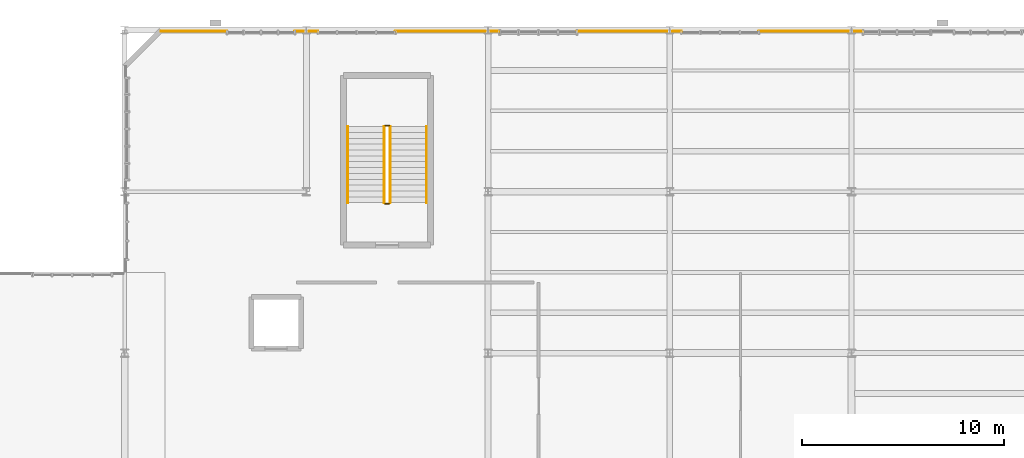
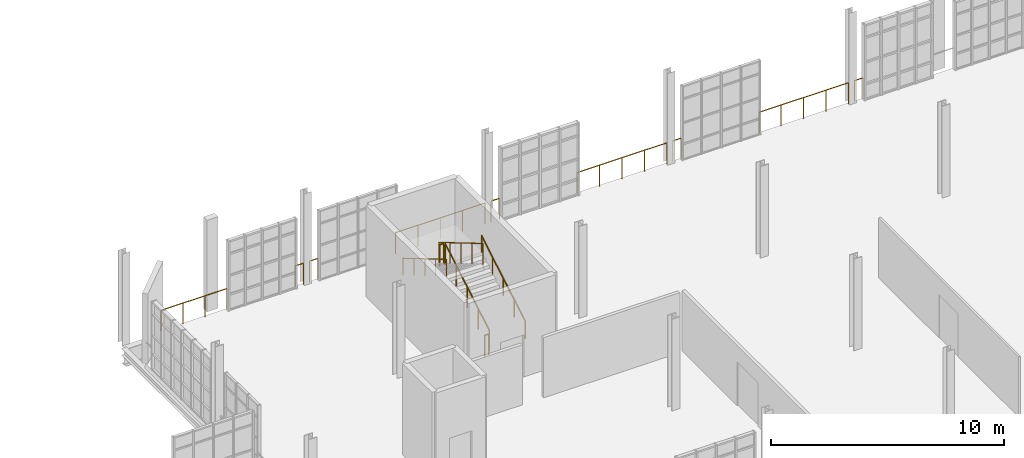
# One storey, part 119 of 122: 15 railings.
"""IFC4 building model written with IfcOpenShell, lengths in metres."""

from ifc_helpers import new_model, si_unit, direction, frame, origin, origin_2d, place, context, subcontext, project, spatial, circle, extrude, material, type_object, element, save


model = new_model("IFC4")

# Units and contexts
model_context = context("Model", 3, precision=1e-05, world=origin(), true_north=direction((0.0, 1.0)))
body_context = subcontext(model_context, "Body", "Model", "MODEL_VIEW")
ifc_project = project(units=[si_unit("LENGTHUNIT", "METRE"), si_unit("AREAUNIT", "SQUARE_METRE"), si_unit("VOLUMEUNIT", "CUBIC_METRE"), si_unit("PLANEANGLEUNIT", "RADIAN"), si_unit("MASSUNIT", "GRAM", prefix="KILO"), si_unit("THERMODYNAMICTEMPERATUREUNIT", "KELVIN"), si_unit("POWERUNIT", "WATT")], contexts=[model_context])

# Site, building, storey
site_placement = place(None, origin())
site = spatial("IfcSite", under=ifc_project, at=site_placement, CompositionType="ELEMENT")
building_placement = place(site_placement, origin())
building = spatial("IfcBuilding", under=site, at=building_placement, Name="Zelmaris Science Centre", CompositionType="ELEMENT")
storey_placement = place(building_placement, frame((0.0, 0.0, 10.800048828125)))
storey = spatial("IfcBuildingStorey", under=building, at=storey_placement, Name="L02", CompositionType="ELEMENT", Elevation=10.800048828125)

# Railings
ifc_material = material(Name="Architectural bronze alloy C28000")
railing_type_1 = type_object("IfcRailingType", Name="Balustrade GD-01 H1120", PredefinedType="BALUSTRADE", material=ifc_material)
railing_1_placement = place(storey_placement, frame((55.800048828125, 87.93994140625, 0.0)))
element("IfcRailing", 1, at=railing_1_placement, inside=storey, type_object=railing_type_1, Name="L02 Perimeter safety balustrade 175", PredefinedType="BALUSTRADE", context=body_context, shape_type="SweptSolid", body=[
    extrude(circle(Radius=0.02392578125, at=origin_2d()), frame((0.0, 0.0, 1.09619140625), z_axis=(1.0, 0.0, 0.0), x_axis=(0.0, 1.0, 0.0)), (0.0, 0.0, 1.0), 3.27001953125),
    extrude(circle(Radius=0.02099609375, at=origin_2d()), origin(), (0.0, 0.0, 1.0), 1.072021484375),
    extrude(circle(Radius=0.02099609375, at=origin_2d()), frame((1.090087890625, 0.0, 0.0)), (0.0, 0.0, 1.0), 1.072021484375),
    extrude(circle(Radius=0.02099609375, at=origin_2d()), frame((2.179931640625, 0.0, 0.0)), (0.0, 0.0, 1.0), 1.072021484375),
    extrude(circle(Radius=0.02099609375, at=origin_2d()), frame((3.27001953125, 0.0, 0.0)), (0.0, 0.0, 1.0), 1.072021484375),
])
for number, where, name in (
    (2, (62.429931640625, 87.93994140625, 0.0), "L02 Perimeter safety balustrade 176"),
    (3, (63.14794921875, 87.93994140625, 0.0), "L02 Perimeter safety balustrade 177"),
):
    element("IfcRailing", number, at=place(storey_placement, frame(where)), inside=storey, type_object=railing_type_1, Name=name, PredefinedType="BALUSTRADE", context=body_context, shape_type="SweptSolid", body=[
        extrude(circle(Radius=0.02392578125, at=origin_2d()), frame((0.0, 0.0, 1.09619140625), z_axis=(1.0, 0.0, 0.0), x_axis=(0.0, 1.0, 0.0)), (0.0, 0.0, 1.0), 0.422119140625),
        extrude(circle(Radius=0.02099609375, at=origin_2d()), origin(), (0.0, 0.0, 1.0), 1.072021484375),
        extrude(circle(Radius=0.02099609375, at=origin_2d()), frame((0.422119140625, 0.0, 0.0)), (0.0, 0.0, 1.0), 1.072021484375),
    ])
railing_2_placement = place(storey_placement, frame((67.409912109375, 87.93994140625, 0.0)))
element("IfcRailing", 4, at=railing_2_placement, inside=storey, type_object=railing_type_1, Name="L02 Perimeter safety balustrade 178", PredefinedType="BALUSTRADE", context=body_context, shape_type="SweptSolid", body=[
    extrude(circle(Radius=0.02392578125, at=origin_2d()), frame((0.0, 0.0, 1.09619140625), z_axis=(1.0, 0.0, 0.0), x_axis=(0.0, 1.0, 0.0)), (0.0, 0.0, 1.0), 4.442138671875),
    extrude(circle(Radius=0.02099609375, at=origin_2d()), origin(), (0.0, 0.0, 1.0), 1.072021484375),
    extrude(circle(Radius=0.02099609375, at=origin_2d()), frame((1.110595703125, 0.0, 0.0)), (0.0, 0.0, 1.0), 1.072021484375),
    extrude(circle(Radius=0.02099609375, at=origin_2d()), frame((2.22119140625, 0.0, 0.0)), (0.0, 0.0, 1.0), 1.072021484375),
    extrude(circle(Radius=0.02099609375, at=origin_2d()), frame((3.33154296875, 0.0, 0.0)), (0.0, 0.0, 1.0), 1.072021484375),
    extrude(circle(Radius=0.02099609375, at=origin_2d()), frame((4.442138671875, 0.0, 0.0)), (0.0, 0.0, 1.0), 1.072021484375),
])
railing_3_placement = place(storey_placement, frame((72.14794921875, 87.93994140625, 0.0)))
element("IfcRailing", 5, at=railing_3_placement, inside=storey, type_object=railing_type_1, Name="L02 Perimeter safety balustrade 179", PredefinedType="BALUSTRADE", context=body_context, shape_type="SweptSolid", body=[
    extrude(circle(Radius=0.02392578125, at=origin_2d()), frame((0.0, 0.0, 1.09619140625), z_axis=(1.0, 0.0, 0.0), x_axis=(0.0, 1.0, 0.0)), (0.0, 0.0, 1.0), 0.422119140625),
    extrude(circle(Radius=0.02099609375, at=origin_2d()), origin(), (0.0, 0.0, 1.0), 1.072021484375),
    extrude(circle(Radius=0.02099609375, at=origin_2d()), frame((0.422119140625, 0.0, 0.0)), (0.0, 0.0, 1.0), 1.072021484375),
])
railing_4_placement = place(storey_placement, frame((76.409912109375, 87.93994140625, 0.0)))
element("IfcRailing", 6, at=railing_4_placement, inside=storey, type_object=railing_type_1, Name="L02 Perimeter safety balustrade 180", PredefinedType="BALUSTRADE", context=body_context, shape_type="SweptSolid", body=[
    extrude(circle(Radius=0.02392578125, at=origin_2d()), frame((0.0, 0.0, 1.09619140625), z_axis=(1.0, 0.0, 0.0), x_axis=(0.0, 1.0, 0.0)), (0.0, 0.0, 1.0), 4.442138671875),
    extrude(circle(Radius=0.02099609375, at=origin_2d()), origin(), (0.0, 0.0, 1.0), 1.072021484375),
    extrude(circle(Radius=0.02099609375, at=origin_2d()), frame((1.110595703125, 0.0, 0.0)), (0.0, 0.0, 1.0), 1.072021484375),
    extrude(circle(Radius=0.02099609375, at=origin_2d()), frame((2.22119140625, 0.0, 0.0)), (0.0, 0.0, 1.0), 1.072021484375),
    extrude(circle(Radius=0.02099609375, at=origin_2d()), frame((3.33154296875, 0.0, 0.0)), (0.0, 0.0, 1.0), 1.072021484375),
    extrude(circle(Radius=0.02099609375, at=origin_2d()), frame((4.442138671875, 0.0, 0.0)), (0.0, 0.0, 1.0), 1.072021484375),
])
railing_5_placement = place(storey_placement, frame((81.14794921875, 87.93994140625, 0.0)))
element("IfcRailing", 7, at=railing_5_placement, inside=storey, type_object=railing_type_1, Name="L02 Perimeter safety balustrade 181", PredefinedType="BALUSTRADE", context=body_context, shape_type="SweptSolid", body=[
    extrude(circle(Radius=0.02392578125, at=origin_2d()), frame((0.0, 0.0, 1.09619140625), z_axis=(1.0, 0.0, 0.0), x_axis=(0.0, 1.0, 0.0)), (0.0, 0.0, 1.0), 0.422119140625),
    extrude(circle(Radius=0.02099609375, at=origin_2d()), origin(), (0.0, 0.0, 1.0), 1.072021484375),
    extrude(circle(Radius=0.02099609375, at=origin_2d()), frame((0.422119140625, 0.0, 0.0)), (0.0, 0.0, 1.0), 1.072021484375),
])
railing_6_placement = place(storey_placement, frame((85.409912109375, 87.93994140625, 0.0)))
element("IfcRailing", 8, at=railing_6_placement, inside=storey, type_object=railing_type_1, Name="L02 Perimeter safety balustrade 182", PredefinedType="BALUSTRADE", context=body_context, shape_type="SweptSolid", body=[
    extrude(circle(Radius=0.02392578125, at=origin_2d()), frame((0.0, 0.0, 1.09619140625), z_axis=(1.0, 0.0, 0.0), x_axis=(0.0, 1.0, 0.0)), (0.0, 0.0, 1.0), 4.442138671875),
    extrude(circle(Radius=0.02099609375, at=origin_2d()), origin(), (0.0, 0.0, 1.0), 1.072021484375),
    extrude(circle(Radius=0.02099609375, at=origin_2d()), frame((1.110595703125, 0.0, 0.0)), (0.0, 0.0, 1.0), 1.072021484375),
    extrude(circle(Radius=0.02099609375, at=origin_2d()), frame((2.22119140625, 0.0, 0.0)), (0.0, 0.0, 1.0), 1.072021484375),
    extrude(circle(Radius=0.02099609375, at=origin_2d()), frame((3.33154296875, 0.0, 0.0)), (0.0, 0.0, 1.0), 1.072021484375),
    extrude(circle(Radius=0.02099609375, at=origin_2d()), frame((4.442138671875, 0.0, 0.0)), (0.0, 0.0, 1.0), 1.072021484375),
])
railing_7_placement = place(storey_placement, frame((90.14794921875, 87.93994140625, 0.0)))
element("IfcRailing", 9, at=railing_7_placement, inside=storey, type_object=railing_type_1, Name="L02 Perimeter safety balustrade 183", PredefinedType="BALUSTRADE", context=body_context, shape_type="SweptSolid", body=[
    extrude(circle(Radius=0.02392578125, at=origin_2d()), frame((0.0, 0.0, 1.09619140625), z_axis=(1.0, 0.0, 0.0), x_axis=(0.0, 1.0, 0.0)), (0.0, 0.0, 1.0), 0.422119140625),
    extrude(circle(Radius=0.02099609375, at=origin_2d()), origin(), (0.0, 0.0, 1.0), 1.072021484375),
    extrude(circle(Radius=0.02099609375, at=origin_2d()), frame((0.422119140625, 0.0, 0.0)), (0.0, 0.0, 1.0), 1.072021484375),
])
railing_8_placement = place(storey_placement, frame((67.14990234375, 79.449951171875, 0.17138671875)))
element("IfcRailing", 10, at=railing_8_placement, inside=storey, type_object=railing_type_1, Name="L02 ST-3 stair guard 1", PredefinedType="BALUSTRADE", context=body_context, shape_type="SweptSolid", body=[
    extrude(circle(Radius=0.02392578125, at=origin_2d()), frame((0.0, 0.0, 1.076171875), z_axis=(0.0, 0.860848830602, 0.508860777473), x_axis=(-1.0, 0.0, 0.0)), (0.0, 0.0, 1.0), 4.37939453125),
    extrude(circle(Radius=0.02099609375, at=origin_2d()), origin(), (0.0, 0.0, 1.0), 1.052001953125),
    extrude(circle(Radius=0.02099609375, at=origin_2d()), frame((0.0, 0.9423828125, 0.55712890625)), (0.0, 0.0, 1.0), 1.052001953125),
    extrude(circle(Radius=0.02099609375, at=origin_2d()), frame((0.0, 1.885009765625, 1.1142578125)), (0.0, 0.0, 1.0), 1.052001953125),
    extrude(circle(Radius=0.02099609375, at=origin_2d()), frame((0.0, 2.82763671875, 1.67138671875)), (0.0, 0.0, 1.0), 1.052001953125),
    extrude(circle(Radius=0.02099609375, at=origin_2d()), frame((0.0, 3.77001953125, 2.228515625)), (0.0, 0.0, 1.0), 1.052001953125),
])
railing_9_placement = place(storey_placement, frame((67.10009765625, 83.27001953125, 2.39990234375)))
element("IfcRailing", 11, at=railing_9_placement, inside=storey, type_object=railing_type_1, Name="L02 ST-3 stair guard 2", PredefinedType="BALUSTRADE", context=body_context, shape_type="SweptSolid", body=[
    extrude(circle(Radius=0.02392578125, at=origin_2d()), frame((0.0, 0.0, 1.076171875), z_axis=(-1.0, 0.0, 0.0), x_axis=(0.0, -1.0, 0.0)), (0.0, 0.0, 1.0), 0.2001953125),
    extrude(circle(Radius=0.02099609375, at=origin_2d()), origin(), (0.0, 0.0, 1.0), 1.052001953125),
    extrude(circle(Radius=0.02099609375, at=origin_2d()), frame((-0.2001953125, 0.0, 0.0)), (0.0, 0.0, 1.0), 1.052001953125),
])
railing_10_placement = place(storey_placement, frame((66.85009765625, 83.219970703125, 2.5712890625)))
element("IfcRailing", 12, at=railing_10_placement, inside=storey, type_object=railing_type_1, Name="L02 ST-3 stair guard 3", PredefinedType="BALUSTRADE", context=body_context, shape_type="SweptSolid", body=[
    extrude(circle(Radius=0.02392578125, at=origin_2d()), frame((0.0, 0.0, 1.076171875), z_axis=(0.0, -0.860824410104, 0.508902087802), x_axis=(1.0, 0.0, 0.0)), (0.0, 0.0, 1.0), 4.379638671875),
    extrude(circle(Radius=0.02099609375, at=origin_2d()), origin(), (0.0, 0.0, 1.0), 1.052001953125),
    extrude(circle(Radius=0.02099609375, at=origin_2d()), frame((0.0, -0.9423828125, 0.55712890625)), (0.0, 0.0, 1.0), 1.052001953125),
    extrude(circle(Radius=0.02099609375, at=origin_2d()), frame((0.0, -1.885009765625, 1.1142578125)), (0.0, 0.0, 1.0), 1.052001953125),
    extrude(circle(Radius=0.02099609375, at=origin_2d()), frame((0.0, -2.82763671875, 1.671630859375)), (0.0, 0.0, 1.0), 1.052001953125),
    extrude(circle(Radius=0.02099609375, at=origin_2d()), frame((0.0, -3.77001953125, 2.228759765625)), (0.0, 0.0, 1.0), 1.052001953125),
])
railing_11_placement = place(storey_placement, frame((67.10009765625, 79.39990234375, 0.0)))
element("IfcRailing", 13, at=railing_11_placement, inside=storey, type_object=railing_type_1, Name="L02 ST-3 stair guard 4", PredefinedType="BALUSTRADE", context=body_context, shape_type="SweptSolid", body=[
    extrude(circle(Radius=0.02392578125, at=origin_2d()), frame((0.0, 0.0, 1.076171875), z_axis=(-1.0, 0.0, 0.0), x_axis=(0.0, -1.0, 0.0)), (0.0, 0.0, 1.0), 0.2001953125),
    extrude(circle(Radius=0.02099609375, at=origin_2d()), origin(), (0.0, 0.0, 1.0), 1.052001953125),
    extrude(circle(Radius=0.02099609375, at=origin_2d()), frame((-0.2001953125, 0.0, 0.0)), (0.0, 0.0, 1.0), 1.052001953125),
])
railing_type_2 = type_object("IfcRailingType", Name="Handrail HR-01 H900", PredefinedType="HANDRAIL", material=ifc_material)
railing_12_placement = place(storey_placement, frame((68.949951171875, 79.449951171875, 0.17138671875)))
element("IfcRailing", 14, at=railing_12_placement, inside=storey, type_object=railing_type_2, Name="L02 ST-3 stair handrail 1", PredefinedType="HANDRAIL", context=body_context, shape_type="SweptSolid", body=[
    extrude(circle(Radius=0.02392578125, at=origin_2d()), frame((0.0, 0.0, 0.8759765625), z_axis=(0.0, 0.860848830602, 0.508860777473), x_axis=(-1.0, 0.0, 0.0)), (0.0, 0.0, 1.0), 4.37939453125),
    extrude(circle(Radius=0.02099609375, at=origin_2d()), origin(), (0.0, 0.0, 1.0), 0.851806640625),
    extrude(circle(Radius=0.02099609375, at=origin_2d()), frame((0.0, 0.9423828125, 0.55712890625)), (0.0, 0.0, 1.0), 0.851806640625),
    extrude(circle(Radius=0.02099609375, at=origin_2d()), frame((0.0, 1.885009765625, 1.1142578125)), (0.0, 0.0, 1.0), 0.851806640625),
    extrude(circle(Radius=0.02099609375, at=origin_2d()), frame((0.0, 2.82763671875, 1.67138671875)), (0.0, 0.0, 1.0), 0.851806640625),
    extrude(circle(Radius=0.02099609375, at=origin_2d()), frame((0.0, 3.77001953125, 2.228515625)), (0.0, 0.0, 1.0), 0.851806640625),
])
railing_13_placement = place(storey_placement, frame((65.050048828125, 83.219970703125, 2.5712890625)))
element("IfcRailing", 15, at=railing_13_placement, inside=storey, type_object=railing_type_2, Name="L02 ST-3 stair handrail 2", PredefinedType="HANDRAIL", context=body_context, shape_type="SweptSolid", body=[
    extrude(circle(Radius=0.02392578125, at=origin_2d()), frame((0.0, 0.0, 0.8759765625), z_axis=(0.0, -0.860824410104, 0.508902087802), x_axis=(1.0, 0.0, 0.0)), (0.0, 0.0, 1.0), 4.379638671875),
    extrude(circle(Radius=0.02099609375, at=origin_2d()), origin(), (0.0, 0.0, 1.0), 0.851806640625),
    extrude(circle(Radius=0.02099609375, at=origin_2d()), frame((0.0, -0.9423828125, 0.55712890625)), (0.0, 0.0, 1.0), 0.851806640625),
    extrude(circle(Radius=0.02099609375, at=origin_2d()), frame((0.0, -1.885009765625, 1.1142578125)), (0.0, 0.0, 1.0), 0.851806640625),
    extrude(circle(Radius=0.02099609375, at=origin_2d()), frame((0.0, -2.82763671875, 1.671630859375)), (0.0, 0.0, 1.0), 0.851806640625),
    extrude(circle(Radius=0.02099609375, at=origin_2d()), frame((0.0, -3.77001953125, 2.228759765625)), (0.0, 0.0, 1.0), 0.851806640625),
])

save(model, "model.ifc")
